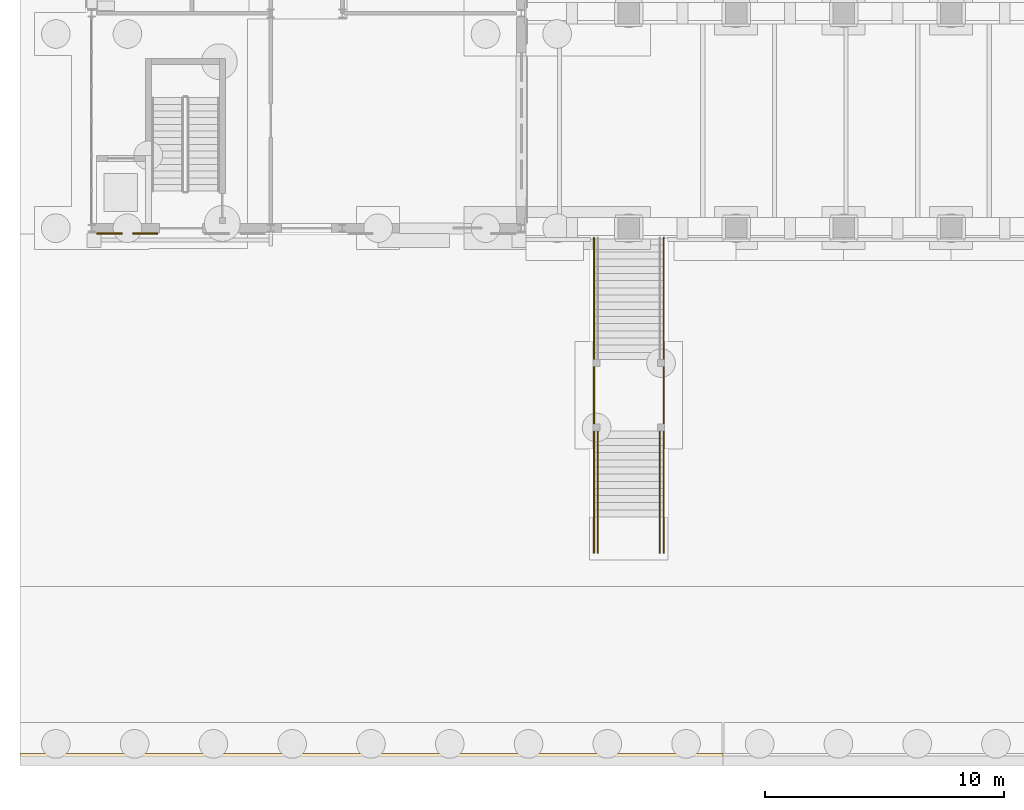
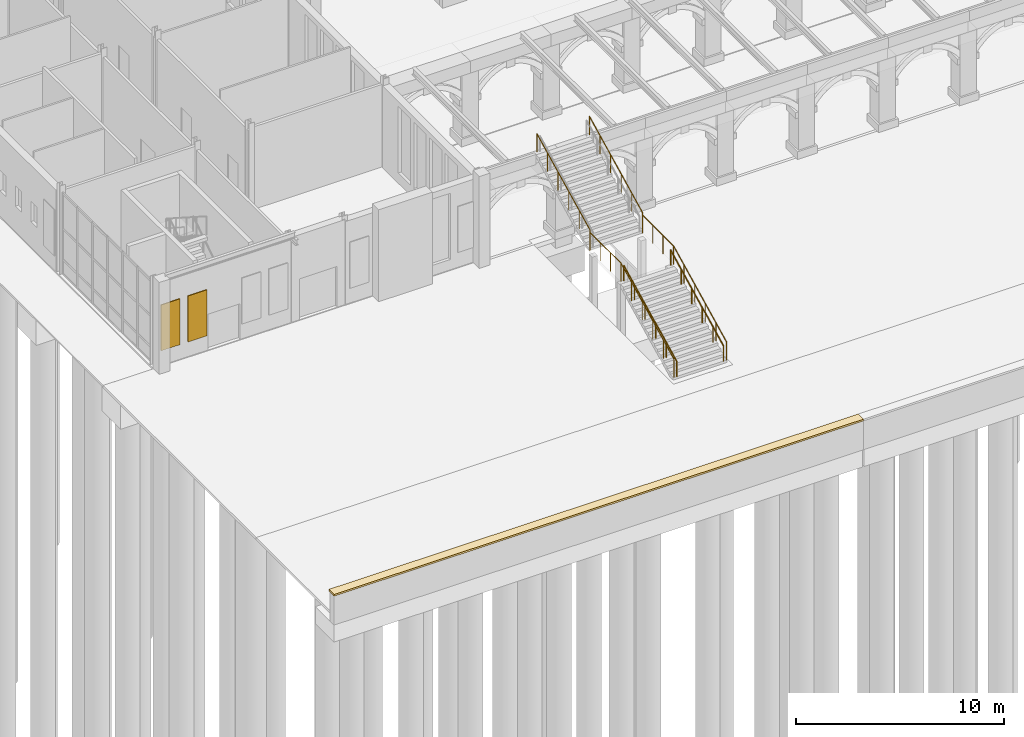
# One storey, part 123 of 168: 4 railings, 3 coverings.
"""IFC4 building model written with IfcOpenShell, lengths in metres."""

from ifc_helpers import new_model, si_unit, direction, frame, origin, origin_2d, place, context, subcontext, project, spatial, polyline, circle, outline, extrude, material, layer, layer_set, type_object, element, save


model = new_model("IFC4")

# Units and contexts
model_context = context("Model", 3, precision=1e-05, world=origin(), true_north=direction((0.0, 1.0)))
body_context = subcontext(model_context, "Body", "Model", "MODEL_VIEW")
ifc_project = project(units=[si_unit("LENGTHUNIT", "METRE"), si_unit("AREAUNIT", "SQUARE_METRE"), si_unit("VOLUMEUNIT", "CUBIC_METRE"), si_unit("PLANEANGLEUNIT", "RADIAN"), si_unit("MASSUNIT", "GRAM", prefix="KILO")], contexts=[model_context])

# Site, building, storey
site_placement = place(None, origin())
site = spatial("IfcSite", under=ifc_project, at=site_placement, CompositionType="ELEMENT")
building_placement = place(site_placement, origin())
building = spatial("IfcBuilding", under=site, at=building_placement, Name="Golden Quay Civic Hall", CompositionType="ELEMENT")
storey_placement = place(building_placement, origin())
storey = spatial("IfcBuildingStorey", under=building, at=storey_placement, Name="L00", CompositionType="ELEMENT", Elevation=0.0)

# Covering
ifc_material_1 = material(Name="Granite", Category="masonry")
ifc_layer_1 = layer(ifc_material_1, 0.10009765625)
ifc_layer_set_1 = layer_set([ifc_layer_1], Name="Granite wall coping 500 x 100")
covering_type_1 = type_object("IfcCoveringType", Name="Granite wall coping 500 x 100", PredefinedType="CLADDING", material=ifc_layer_set_1)
covering_1_placement = place(storey_placement, frame((0.0, 0.0, 1.10009765625)))
element("IfcCovering", 1, at=covering_1_placement, inside=storey, type_object=covering_type_1, Name="Quay wall coping run 1", PredefinedType="CLADDING", context=body_context, shape_type="SweptSolid", body=[
    extrude(outline(polyline([(-3.0, -31.5), (26.43994140625, -31.5), (26.43994140625, -31.0), (-3.0, -31.0), (-3.0, -31.5)])), origin(), (0.0, 0.0, 1.0), 0.099853515625),
])

# Railings
ifc_material_2 = material(Name="Stainless steel", Category="steel")
railing_type_1 = type_object("IfcRailingType", Name="Stainless steel guard 1100", PredefinedType="GUARDRAIL", material=ifc_material_2)
railing_1_placement = place(storey_placement, frame((21.0400390625, -22.60009765625, 0.14990234375)))
element("IfcRailing", 2, at=railing_1_placement, inside=storey, type_object=railing_type_1, Name="Stair guard west", PredefinedType="GUARDRAIL", context=body_context, shape_type="SweptSolid", body=[
    extrude(circle(Radius=0.02490234375, at=origin_2d()), frame((0.0, 0.0, 1.0751953125), z_axis=(0.0, 0.894427191, 0.4472135955), x_axis=(-1.0, 0.0, 0.0)), (0.0, 0.0, 1.0), 5.7021484375),
    extrude(circle(Radius=0.02490234375, at=origin_2d()), frame((0.0, 5.10009765625, 3.625), z_axis=(0.0, 1.0, 0.0), x_axis=(-1.0, 0.0, 0.0)), (0.0, 0.0, 1.0), 3.0),
    extrude(circle(Radius=0.02490234375, at=origin_2d()), frame((0.0, 8.10009765625, 3.625), z_axis=(0.0, 0.0, 1.0), x_axis=(1.0, 0.0, 0.0)), (0.0, 0.0, 1.0), 0.150146484375),
    extrude(circle(Radius=0.02490234375, at=origin_2d()), frame((0.0, 8.10009765625, 3.775390625), z_axis=(0.0, 0.89444431709, 0.44717934168), x_axis=(-1.0, 0.0, 0.0)), (0.0, 0.0, 1.0), 5.701904296875),
    extrude(circle(Radius=0.02001953125, at=origin_2d()), origin(), (0.0, 0.0, 1.0), 1.050048828125),
    extrude(circle(Radius=0.02001953125, at=origin_2d()), frame((0.0, 1.02001953125, 0.510009765625)), (0.0, 0.0, 1.0), 1.050048828125),
    extrude(circle(Radius=0.02001953125, at=origin_2d()), frame((0.0, 2.0400390625, 1.02001953125)), (0.0, 0.0, 1.0), 1.050048828125),
    extrude(circle(Radius=0.02001953125, at=origin_2d()), frame((0.0, 3.06005859375, 1.530029296875)), (0.0, 0.0, 1.0), 1.050048828125),
    extrude(circle(Radius=0.02001953125, at=origin_2d()), frame((0.0, 4.080078125, 2.0400390625)), (0.0, 0.0, 1.0), 1.050048828125),
    extrude(circle(Radius=0.02001953125, at=origin_2d()), frame((0.0, 5.10009765625, 2.550048828125)), (0.0, 0.0, 1.0), 1.050048828125),
    extrude(circle(Radius=0.02001953125, at=origin_2d()), frame((0.0, 6.10009765625, 2.550048828125)), (0.0, 0.0, 1.0), 1.050048828125),
    extrude(circle(Radius=0.02001953125, at=origin_2d()), frame((0.0, 7.10009765625, 2.550048828125)), (0.0, 0.0, 1.0), 1.050048828125),
    extrude(circle(Radius=0.02001953125, at=origin_2d()), frame((0.0, 8.10009765625, 2.550048828125)), (0.0, 0.0, 1.0), 1.050048828125),
    extrude(circle(Radius=0.02001953125, at=origin_2d()), frame((0.0, 8.10009765625, 2.7001953125)), (0.0, 0.0, 1.0), 1.050048828125),
    extrude(circle(Radius=0.02001953125, at=origin_2d()), frame((0.0, 9.1201171875, 3.210205078125)), (0.0, 0.0, 1.0), 1.050048828125),
    extrude(circle(Radius=0.02001953125, at=origin_2d()), frame((0.0, 10.14013671875, 3.72021484375)), (0.0, 0.0, 1.0), 1.050048828125),
    extrude(circle(Radius=0.02001953125, at=origin_2d()), frame((0.0, 11.16015625, 4.22998046875)), (0.0, 0.0, 1.0), 1.050048828125),
    extrude(circle(Radius=0.02001953125, at=origin_2d()), frame((0.0, 12.18017578125, 4.739990234375)), (0.0, 0.0, 1.0), 1.050048828125),
    extrude(circle(Radius=0.02001953125, at=origin_2d()), frame((0.0, 13.2001953125, 5.25)), (0.0, 0.0, 1.0), 1.050048828125),
])
railing_2_placement = place(storey_placement, frame((23.9599609375, -22.60009765625, 0.14990234375)))
element("IfcRailing", 3, at=railing_2_placement, inside=storey, type_object=railing_type_1, Name="Stair guard west", PredefinedType="GUARDRAIL", context=body_context, shape_type="SweptSolid", body=[
    extrude(circle(Radius=0.02490234375, at=origin_2d()), frame((0.0, 0.0, 1.0751953125), z_axis=(0.0, 0.894427191, 0.4472135955), x_axis=(-1.0, 0.0, 0.0)), (0.0, 0.0, 1.0), 5.7021484375),
    extrude(circle(Radius=0.02490234375, at=origin_2d()), frame((0.0, 5.10009765625, 3.625), z_axis=(0.0, 1.0, 0.0), x_axis=(-1.0, 0.0, 0.0)), (0.0, 0.0, 1.0), 3.0),
    extrude(circle(Radius=0.02490234375, at=origin_2d()), frame((0.0, 8.10009765625, 3.625), z_axis=(0.0, 0.0, 1.0), x_axis=(1.0, 0.0, 0.0)), (0.0, 0.0, 1.0), 0.150146484375),
    extrude(circle(Radius=0.02490234375, at=origin_2d()), frame((0.0, 8.10009765625, 3.775390625), z_axis=(0.0, 0.89444431709, 0.44717934168), x_axis=(-1.0, 0.0, 0.0)), (0.0, 0.0, 1.0), 5.701904296875),
    extrude(circle(Radius=0.02001953125, at=origin_2d()), origin(), (0.0, 0.0, 1.0), 1.050048828125),
    extrude(circle(Radius=0.02001953125, at=origin_2d()), frame((0.0, 1.02001953125, 0.510009765625)), (0.0, 0.0, 1.0), 1.050048828125),
    extrude(circle(Radius=0.02001953125, at=origin_2d()), frame((0.0, 2.0400390625, 1.02001953125)), (0.0, 0.0, 1.0), 1.050048828125),
    extrude(circle(Radius=0.02001953125, at=origin_2d()), frame((0.0, 3.06005859375, 1.530029296875)), (0.0, 0.0, 1.0), 1.050048828125),
    extrude(circle(Radius=0.02001953125, at=origin_2d()), frame((0.0, 4.080078125, 2.0400390625)), (0.0, 0.0, 1.0), 1.050048828125),
    extrude(circle(Radius=0.02001953125, at=origin_2d()), frame((0.0, 5.10009765625, 2.550048828125)), (0.0, 0.0, 1.0), 1.050048828125),
    extrude(circle(Radius=0.02001953125, at=origin_2d()), frame((0.0, 6.10009765625, 2.550048828125)), (0.0, 0.0, 1.0), 1.050048828125),
    extrude(circle(Radius=0.02001953125, at=origin_2d()), frame((0.0, 7.10009765625, 2.550048828125)), (0.0, 0.0, 1.0), 1.050048828125),
    extrude(circle(Radius=0.02001953125, at=origin_2d()), frame((0.0, 8.10009765625, 2.550048828125)), (0.0, 0.0, 1.0), 1.050048828125),
    extrude(circle(Radius=0.02001953125, at=origin_2d()), frame((0.0, 8.10009765625, 2.7001953125)), (0.0, 0.0, 1.0), 1.050048828125),
    extrude(circle(Radius=0.02001953125, at=origin_2d()), frame((0.0, 9.1201171875, 3.210205078125)), (0.0, 0.0, 1.0), 1.050048828125),
    extrude(circle(Radius=0.02001953125, at=origin_2d()), frame((0.0, 10.14013671875, 3.72021484375)), (0.0, 0.0, 1.0), 1.050048828125),
    extrude(circle(Radius=0.02001953125, at=origin_2d()), frame((0.0, 11.16015625, 4.22998046875)), (0.0, 0.0, 1.0), 1.050048828125),
    extrude(circle(Radius=0.02001953125, at=origin_2d()), frame((0.0, 12.18017578125, 4.739990234375)), (0.0, 0.0, 1.0), 1.050048828125),
    extrude(circle(Radius=0.02001953125, at=origin_2d()), frame((0.0, 13.2001953125, 5.25)), (0.0, 0.0, 1.0), 1.050048828125),
])
ifc_material_3 = material(Name="Stainless steel", Category="steel")
railing_type_2 = type_object("IfcRailingType", Name="Stainless steel handrail 900", PredefinedType="HANDRAIL", material=ifc_material_3)
for number, where, name in (
    (4, (21.199951171875, -22.60009765625, 0.14990234375), "Stair handrail west"),
    (5, (23.800048828125, -22.60009765625, 0.14990234375), "Stair handrail west"),
):
    element("IfcRailing", number, at=place(storey_placement, frame(where)), inside=storey, type_object=railing_type_2, Name=name, PredefinedType="HANDRAIL", context=body_context, shape_type="SweptSolid", body=[
        extrude(circle(Radius=0.0224609375, at=origin_2d()), frame((0.0, 0.0, 0.87744140625), z_axis=(0.0, 0.894427191, 0.4472135955), x_axis=(-1.0, 0.0, 0.0)), (0.0, 0.0, 1.0), 5.7021484375),
        extrude(circle(Radius=0.02001953125, at=origin_2d()), origin(), (0.0, 0.0, 1.0), 0.85498046875),
        extrude(circle(Radius=0.02001953125, at=origin_2d()), frame((0.0, 1.02001953125, 0.510009765625)), (0.0, 0.0, 1.0), 0.85498046875),
        extrude(circle(Radius=0.02001953125, at=origin_2d()), frame((0.0, 2.0400390625, 1.02001953125)), (0.0, 0.0, 1.0), 0.85498046875),
        extrude(circle(Radius=0.02001953125, at=origin_2d()), frame((0.0, 3.06005859375, 1.530029296875)), (0.0, 0.0, 1.0), 0.85498046875),
        extrude(circle(Radius=0.02001953125, at=origin_2d()), frame((0.0, 4.080078125, 2.0400390625)), (0.0, 0.0, 1.0), 0.85498046875),
        extrude(circle(Radius=0.02001953125, at=origin_2d()), frame((0.0, 5.10009765625, 2.550048828125)), (0.0, 0.0, 1.0), 0.85498046875),
    ])

# Coverings
ifc_material_4 = material(Name="Terracotta cladding, golden glaze", Category="masonry")
ifc_layer_2 = layer(ifc_material_4, 0.050048828125)
ifc_layer_set_2 = layer_set([ifc_layer_2], Name="Terracotta solid panel 1050 x 2700 x 50")
covering_type_2 = type_object("IfcCoveringType", Name="Terracotta solid panel 1050 x 2700 x 50", PredefinedType="CLADDING", material=ifc_layer_set_2)
covering_2_placement = place(storey_placement, frame((0.0, 0.0, 0.89990234375)))
element("IfcCovering", 6, at=covering_2_placement, inside=storey, type_object=covering_type_2, Name="Terracotta solid panel 1050 x 2700 x 50 L00 17", PredefinedType="CLADDING", context=body_context, shape_type="SweptSolid", body=[
    extrude(outline(polyline([(0.22509765625, -9.199951171875), (1.27490234375, -9.199951171875), (1.27490234375, -9.25), (0.22509765625, -9.25), (0.22509765625, -9.199951171875)])), origin(), (0.0, 0.0, 1.0), 2.7001953125),
])
covering_3_placement = place(storey_placement, frame((0.0, 0.0, 0.89990234375)))
element("IfcCovering", 7, at=covering_3_placement, inside=storey, type_object=covering_type_2, Name="Terracotta solid panel 1050 x 2700 x 50 L00 18", PredefinedType="CLADDING", context=body_context, shape_type="SweptSolid", body=[
    extrude(outline(polyline([(1.72509765625, -9.199951171875), (2.77490234375, -9.199951171875), (2.77490234375, -9.25), (1.72509765625, -9.25), (1.72509765625, -9.199951171875)])), origin(), (0.0, 0.0, 1.0), 2.7001953125),
])

save(model, "model.ifc")
